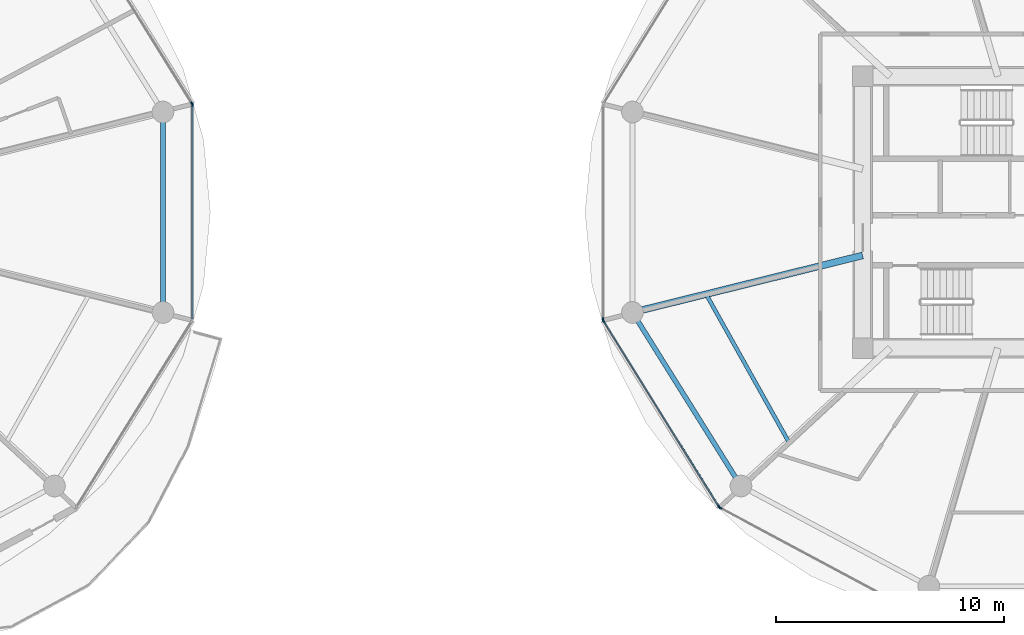
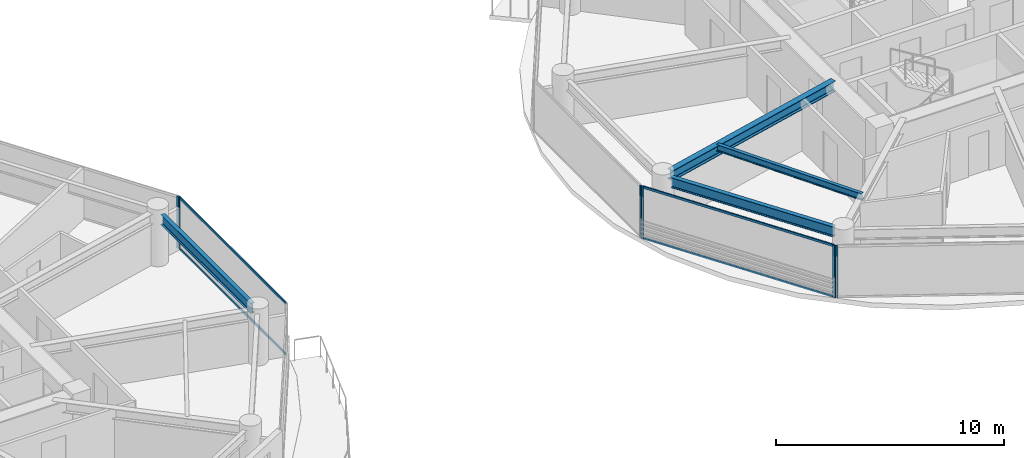
# One storey, part 6 of 26: 10 members, 4 beams, 5 elements without a shape of their own.
"""IFC4 building model written with IfcOpenShell, lengths in metres."""

import ifcopenshell
import ifcopenshell.guid

model = None  # the IFC model being written
_history = None  # IfcOwnerHistory: only IFC2X3 demands one
_inside = {}  # id of a spatial element -> (the spatial element, [elements in it])
_under = {}  # id of a project, library or spatial element -> (it, [spatial elements below it])
_declared = {}  # id of a project -> (the project, [libraries it declares])
_typed = {}  # id of a type object -> (the type object, [elements of that type])
_made_of = {}  # id of a material, layer set ... -> (it, [elements and type objects made of it])


def new_model(schema):
    """Start an empty IFC model of exactly this schema.

    Asked for "IFC4X3", IfcOpenShell would pick the latest addendum, in which some entities
    have other attributes; the version numbers below select the first issue.
    IFC2X3 requires an IfcOwnerHistory on every rooted entity: one is made here for all.
    """
    global model, _history
    if schema == "IFC4X3":
        model = ifcopenshell.file(schema_version=(4, 3, 0, 0))
    else:
        model = ifcopenshell.file(schema=schema)
    _inside.clear()
    _under.clear()
    _declared.clear()
    _typed.clear()
    _made_of.clear()
    _history = None
    if model.schema == "IFC2X3":
        org = make("IfcOrganization", Name="unknown")
        user = make(
            "IfcPersonAndOrganization",
            ThePerson=make("IfcPerson", FamilyName="unknown"),
            TheOrganization=org,
        )
        app = make(
            "IfcApplication",
            ApplicationDeveloper=org,
            Version="unknown",
            ApplicationFullName="unknown",
            ApplicationIdentifier="unknown",
        )
        _history = make(
            "IfcOwnerHistory",
            OwningUser=user,
            OwningApplication=app,
            ChangeAction="ADDED",
            CreationDate=0,
        )
    return model


def make(cls, **values):
    """One entity of the class cls with the attributes given. An attribute that is None is left unset."""
    return model.create_entity(
        cls, **{name: value for name, value in values.items() if value is not None}
    )


def rooted(cls, **values):
    """An entity with a GlobalId (a new one), such as an element, a storey or a relation."""
    return make(cls, GlobalId=ifcopenshell.guid.new(), OwnerHistory=_history, **values)


def si_unit(unit_type, name, prefix=None):
    """IfcSIUnit, for example si_unit("LENGTHUNIT", "METRE", prefix="MILLI")."""
    return make("IfcSIUnit", UnitType=unit_type, Prefix=prefix, Name=name)


def assignment(units):
    """IfcUnitAssignment: the units of a project."""
    return None if units is None else make("IfcUnitAssignment", Units=units)


def point(xyz):
    """IfcCartesianPoint."""
    return None if xyz is None else make("IfcCartesianPoint", Coordinates=xyz)


def direction(xyz):
    """IfcDirection."""
    return None if xyz is None else make("IfcDirection", DirectionRatios=xyz)


def frame(location, z_axis=None, x_axis=None):
    """IfcAxis2Placement3D, a coordinate frame: its origin and axes. An axis left out is left unset."""
    return make(
        "IfcAxis2Placement3D",
        Location=point(location),
        Axis=direction(z_axis),
        RefDirection=direction(x_axis),
    )


def frame_2d(location, x_axis=None):
    """IfcAxis2Placement2D, a coordinate frame in the plane: its origin and x axis."""
    return make(
        "IfcAxis2Placement2D", Location=point(location), RefDirection=direction(x_axis)
    )


def origin():
    """The frame at (0, 0, 0) with its axes left unset."""
    return frame((0.0, 0.0, 0.0))


def origin_2d():
    """The frame at (0, 0) in the plane with its x axis left unset."""
    return frame_2d((0.0, 0.0))


def place(relative_to, where):
    """IfcLocalPlacement: puts the frame where relative to a parent placement (None: the world)."""
    return make(
        "IfcLocalPlacement", PlacementRelTo=relative_to, RelativePlacement=where
    )


def context(
    kind, dimensions, precision=None, world=None, true_north=None, identifier=None
):
    """IfcGeometricRepresentationContext, for example the 3D "Model" context."""
    return make(
        "IfcGeometricRepresentationContext",
        ContextIdentifier=identifier,
        ContextType=kind,
        CoordinateSpaceDimension=dimensions,
        Precision=precision,
        WorldCoordinateSystem=world,
        TrueNorth=true_north,
    )


def subcontext(parent, identifier, kind, view, scale=None):
    """IfcGeometricRepresentationSubContext, for example "Body" below "Model"."""
    return make(
        "IfcGeometricRepresentationSubContext",
        ContextIdentifier=identifier,
        ContextType=kind,
        ParentContext=parent,
        TargetScale=scale,
        TargetView=view,
    )


def project(units=None, contexts=None):
    """IfcProject with its units and contexts."""
    return rooted(
        "IfcProject",
        Name="project",
        RepresentationContexts=contexts,
        UnitsInContext=assignment(units),
    )


def spatial(cls, under=None, at=None, **own):
    """A site, building, storey or space (cls), placed at a placement, below another one or the project."""
    s = rooted(cls, ObjectPlacement=at, **own)
    if under is not None:
        _under.setdefault(under.id(), (under, []))[1].append(s)
    return s


def profile(cls, at=None, kind="AREA", **sizes):
    """A parametric profile (cls). Its sizes go by their IFC names, for example OverallWidth=200.0."""
    return make(cls, ProfileType=kind, Position=at, **sizes)


def rectangle(**sizes):
    """IfcRectangleProfileDef."""
    return profile("IfcRectangleProfileDef", **sizes)


def i_section(**sizes):
    """IfcIShapeProfileDef."""
    return profile("IfcIShapeProfileDef", **sizes)


def extrude(swept, where, along, depth):
    """IfcExtrudedAreaSolid: the profile swept, set in the frame where, extruded along a direction by depth."""
    return make(
        "IfcExtrudedAreaSolid",
        SweptArea=swept,
        Position=where,
        ExtrudedDirection=direction(along),
        Depth=depth,
    )


def shape(context_of_items, identifier, shape_type, items):
    """IfcShapeRepresentation: the items that make up one representation, for example the "Body"."""
    return make(
        "IfcShapeRepresentation",
        ContextOfItems=context_of_items,
        RepresentationIdentifier=identifier,
        RepresentationType=shape_type,
        Items=items,
    )


def source(mapping_origin, context_of_items, identifier, shape_type, items):
    """IfcRepresentationMap: a shape defined once, which mapped items show again and again."""
    return make(
        "IfcRepresentationMap",
        MappingOrigin=mapping_origin,
        MappedRepresentation=shape(context_of_items, identifier, shape_type, items),
    )


def transform(
    local_origin,
    x_axis=None,
    y_axis=None,
    z_axis=None,
    scale=None,
    scale2=None,
    scale3=None,
    uniform=True,
):
    """IfcCartesianTransformationOperator3D, or its non-uniform kind. x_axis, y_axis, z_axis: its Axis1, 2, 3."""
    if uniform:
        return make(
            "IfcCartesianTransformationOperator3D",
            Axis1=direction(x_axis),
            Axis2=direction(y_axis),
            LocalOrigin=point(local_origin),
            Scale=scale,
            Axis3=direction(z_axis),
        )
    return make(
        "IfcCartesianTransformationOperator3DnonUniform",
        Axis1=direction(x_axis),
        Axis2=direction(y_axis),
        LocalOrigin=point(local_origin),
        Scale=scale,
        Axis3=direction(z_axis),
        Scale2=scale2,
        Scale3=scale3,
    )


def mapped(mapping_source, mapping_target):
    """IfcMappedItem: shows the shape of a source again, moved by a transform."""
    return make(
        "IfcMappedItem", MappingSource=mapping_source, MappingTarget=mapping_target
    )


def material(Name=None, Category=None):
    """IfcMaterial."""
    return make("IfcMaterial", Name=Name, Category=Category)


def layer(
    of_material, thickness, ventilated=None, Name=None, Category=None, Priority=None
):
    """IfcMaterialLayer: one layer of a wall or slab, of a material (None: an air gap)."""
    return make(
        "IfcMaterialLayer",
        Material=of_material,
        LayerThickness=thickness,
        IsVentilated=ventilated,
        Name=Name,
        Category=Category,
        Priority=Priority,
    )


def layer_set(layers, Name=None):
    """IfcMaterialLayerSet."""
    return make("IfcMaterialLayerSet", MaterialLayers=layers, LayerSetName=Name)


def material_profile(
    of_material, cross_section, Name=None, Category=None, Priority=None
):
    """IfcMaterialProfile: a cross section and its material."""
    return make(
        "IfcMaterialProfile",
        Name=Name,
        Material=of_material,
        Profile=cross_section,
        Priority=Priority,
        Category=Category,
    )


def profile_set(profiles, Name=None, composite=None):
    """IfcMaterialProfileSet."""
    return make(
        "IfcMaterialProfileSet",
        Name=Name,
        MaterialProfiles=profiles,
        CompositeProfile=composite,
    )


def made_of(thing, what):
    """Note that an element or type object is made of a material, layer set ...; save() writes the relation."""
    if what is not None:
        _made_of.setdefault(what.id(), (what, []))[1].append(thing)
    return thing


def type_object(cls, material=None, **own):
    """A type object (cls), such as IfcWallType, which elements share."""
    return made_of(rooted(cls, **own), material)


def type_shapes(of_type, sources):
    """Give a type object the sources (RepresentationMaps) that its elements show as mapped items."""
    of_type.RepresentationMaps = sources


def element(
    cls,
    number,
    at=None,
    inside=None,
    cuts=None,
    type_object=None,
    material=None,
    context=None,
    identifier="Body",
    shape_type=None,
    held_by="IfcProductDefinitionShape",
    body=None,
    shapes=None,
    **own,
):
    """One element of the class cls, such as IfcWall. Its Tag is "e" and its number.

    at: its placement. inside: the storey or other place that contains it. cuts: it is an
    opening in that element (IfcRelVoidsElement). A single representation is given by context,
    identifier, shape_type and body (its items); several are given by shapes. held_by: the class
    of the entity that holds the representations. save() writes the other relations.
    """
    e = rooted(cls, Tag="e%d" % number, ObjectPlacement=at, **own)
    if body is not None:
        shapes = [shape(context, identifier, shape_type, body)]
    if shapes is not None:
        e.Representation = make(held_by, Representations=shapes)
    if inside is not None:
        _inside.setdefault(inside.id(), (inside, []))[1].append(e)
    if cuts is not None:
        rooted(
            "IfcRelVoidsElement", RelatingBuildingElement=cuts, RelatedOpeningElement=e
        )
    if type_object is not None:
        _typed.setdefault(type_object.id(), (type_object, []))[1].append(e)
    return made_of(e, material)


def aggregate(whole, parts):
    """IfcRelAggregates: a whole, such as a stair, and the parts it consists of."""
    return rooted("IfcRelAggregates", RelatingObject=whole, RelatedObjects=parts)


def save(model, path):
    """Write the relations noted so far, then the file.

    IfcRelAggregates (storeys below a building ...), IfcRelContainedInSpatialStructure (elements
    in a storey), IfcRelDefinesByType, IfcRelAssociatesMaterial and IfcRelDeclares: one each for
    every whole, place, type object, material and project.
    """
    for whole, parts in _under.values():
        aggregate(whole, parts)
    for where, things in _inside.values():
        rooted(
            "IfcRelContainedInSpatialStructure",
            RelatedElements=things,
            RelatingStructure=where,
        )
    for kind, things in _typed.values():
        rooted("IfcRelDefinesByType", RelatedObjects=things, RelatingType=kind)
    for what, things in _made_of.values():
        rooted("IfcRelAssociatesMaterial", RelatedObjects=things, RelatingMaterial=what)
    for by, libraries in _declared.values():
        rooted("IfcRelDeclares", RelatingContext=by, RelatedDefinitions=libraries)
    model.write(path)


model = new_model("IFC4")

# Units and contexts
model_context = context("Model", 3, precision=1e-05, world=origin(), true_north=direction((0.0, 1.0)))
body_context = subcontext(model_context, "Body", "Model", "MODEL_VIEW")
ifc_project = project(units=[si_unit("LENGTHUNIT", "METRE"), si_unit("AREAUNIT", "SQUARE_METRE"), si_unit("VOLUMEUNIT", "CUBIC_METRE"), si_unit("PLANEANGLEUNIT", "RADIAN"), si_unit("MASSUNIT", "GRAM", prefix="KILO")], contexts=[model_context])

# Site, building, storey
site_placement = place(None, origin())
site = spatial("IfcSite", under=ifc_project, at=site_placement, CompositionType="ELEMENT")
building_placement = place(site_placement, origin())
building = spatial("IfcBuilding", under=site, at=building_placement, Name="Norrkilde Senior Care Towers", CompositionType="ELEMENT")
storey_placement = place(building_placement, frame((0.0, 0.0, 55.14990234375)))
storey = spatial("IfcBuildingStorey", under=building, at=storey_placement, Name="L16", CompositionType="ELEMENT", Elevation=55.14990234375)

# Beams
ifc_material_1 = material(Name="Steel S355", Category="steel")
ifc_material_profile_1 = material_profile(ifc_material_1, i_section(OverallWidth=0.2099609375, OverallDepth=0.550048828125, WebThickness=0.010986328125, FlangeThickness=0.01708984375, FilletRadius=0.02392578125, at=origin_2d()), Name="IPE 550")
ifc_profile_set_1 = profile_set([ifc_material_profile_1], Name="Steel S355")
beam_type_1 = type_object("IfcBeamType", Name="Perimeter Ring Spandrel Z1 IPE550", PredefinedType="SPANDREL", material=ifc_profile_set_1)
shared_shape_1 = source(origin(), body_context, "Body", "SweptSolid", [
    extrude(i_section(OverallWidth=0.2099609375, OverallDepth=0.550048828125, WebThickness=0.010986328125, FlangeThickness=0.01708984375, FilletRadius=0.02392578125, at=origin_2d()), origin(), (0.0, 0.0, 1.0), 8.090576171875),
])
beam_1_placement = place(storey_placement, frame((10.505859375, -4.755859375, 2.51513671875), z_axis=(0.530004364821, -0.84799491347, 0.0), x_axis=(0.84799491347, 0.530004364821, 0.0)))
element("IfcBeam", 1, at=beam_1_placement, inside=storey, type_object=beam_type_1, Name="L16 Drum E Perimeter Spandrel 07", PredefinedType="SPANDREL", context=body_context, shape_type="MappedRepresentation", body=[
    mapped(shared_shape_1, transform((0.0, 0.0, 0.0), x_axis=(1.0, 0.0, 0.0), y_axis=(0.0, 1.0, 0.0), z_axis=(0.0, 0.0, 1.0), scale=1.0)),
])
ifc_material_profile_2 = material_profile(ifc_material_1, i_section(OverallWidth=0.300048828125, OverallDepth=0.550048828125, WebThickness=0.014892578125, FlangeThickness=0.029052734375, FilletRadius=0.027099609375, at=origin_2d()), Name="HEB 550")
ifc_profile_set_2 = profile_set([ifc_material_profile_2], Name="Steel S355")
beam_type_2 = type_object("IfcBeamType", Name="Radial Floor Beam Z1 HEB550", PredefinedType="BEAM", material=ifc_profile_set_2)
shared_shape_2 = source(origin(), body_context, "Body", "SweptSolid", [
    extrude(i_section(OverallWidth=0.300048828125, OverallDepth=0.550048828125, WebThickness=0.014892578125, FlangeThickness=0.029052734375, FilletRadius=0.027099609375, at=origin_2d()), origin(), (0.0, 0.0, 1.0), 9.94384765625),
])
type_shapes(beam_type_2, [shared_shape_2])
beam_2_placement = place(storey_placement, frame((20.35009765625, -1.893310546875, 2.51513671875), z_axis=(-0.970707425182, -0.240264634718, 0.0), x_axis=(0.240264634718, -0.970707425182, 0.0)))
element("IfcBeam", 2, at=beam_2_placement, inside=storey, type_object=beam_type_2, Name="L16 Drum E Radial Floor Beam 07", PredefinedType="BEAM", context=body_context, shape_type="MappedRepresentation", body=[
    mapped(shared_shape_2, transform((0.0, 0.0, 0.0), x_axis=(1.0, 0.0, 0.0), y_axis=(0.0, 1.0, 0.0), z_axis=(0.0, 0.0, 1.0), scale=1.0)),
])
shared_shape_3 = source(origin(), body_context, "Body", "SweptSolid", [
    extrude(i_section(OverallWidth=0.2099609375, OverallDepth=0.550048828125, WebThickness=0.010986328125, FlangeThickness=0.01708984375, FilletRadius=0.02392578125, at=origin_2d()), origin(), (0.0, 0.0, 1.0), 7.90380859375),
])
type_shapes(beam_type_1, [shared_shape_1, shared_shape_3])
beam_3_placement = place(storey_placement, frame((-10.275146484375, -3.951904296875, 2.51513671875), z_axis=(0.0, 1.0, 0.0), x_axis=(-1.0, 0.0, 0.0)))
element("IfcBeam", 3, at=beam_3_placement, inside=storey, type_object=beam_type_1, Name="L16 Drum W Perimeter Spandrel 12", PredefinedType="SPANDREL", context=body_context, shape_type="MappedRepresentation", body=[
    mapped(shared_shape_3, transform((0.0, 0.0, 0.0), x_axis=(1.0, 0.0, 0.0), y_axis=(0.0, 1.0, 0.0), z_axis=(0.0, 0.0, 1.0), scale=1.0)),
])
ifc_material_profile_3 = material_profile(ifc_material_1, i_section(OverallWidth=0.169921875, OverallDepth=0.360107421875, WebThickness=0.008056640625, FlangeThickness=0.0126953125, FilletRadius=0.01806640625, at=origin_2d()), Name="IPE 360")
ifc_profile_set_3 = profile_set([ifc_material_profile_3], Name="Steel S355")
beam_type_3 = type_object("IfcBeamType", Name="Secondary Floor Joist IPE360", PredefinedType="JOIST", material=ifc_profile_set_3)
shared_shape_4 = source(origin(), body_context, "Body", "SweptSolid", [
    extrude(i_section(OverallWidth=0.169921875, OverallDepth=0.360107421875, WebThickness=0.008056640625, FlangeThickness=0.0126953125, FilletRadius=0.01806640625, at=origin_2d()), origin(), (0.0, 0.0, 1.0), 7.40771484375),
])
type_shapes(beam_type_3, [shared_shape_4])
beam_4_placement = place(storey_placement, frame((13.499267578125, -3.589111328125, 2.610107421875), z_axis=(0.488167754092, -0.872749817453, 0.0), x_axis=(0.872749817453, 0.488167754092, 0.0)))
element("IfcBeam", 4, at=beam_4_placement, inside=storey, type_object=beam_type_3, Name="L16 Drum E Secondary Floor Joist 3", PredefinedType="JOIST", context=body_context, shape_type="MappedRepresentation", body=[
    mapped(shared_shape_4, transform((0.0, 0.0, 0.0), x_axis=(1.0, 0.0, 0.0), y_axis=(0.0, 1.0, 0.0), z_axis=(0.0, 0.0, 1.0), scale=1.0)),
])

# Curtain wall, member
ifc_material_2 = material(Name="Triple Low-E Insulated Glazing", Category="glass")
ifc_layer = layer(ifc_material_2, 0.199951171875)
ifc_layer_set = layer_set([ifc_layer], Name="Triple Low-E Insulated Glazing")
curtain_wall_type = type_object("IfcCurtainWallType", Name="CW2 Zone 1 Memory Care Curtain Wall", PredefinedType="NOTDEFINED", material=ifc_layer_set)
curtain_wall_1_placement = place(storey_placement, origin())
curtain_wall_1 = element("IfcCurtainWall", 5, at=curtain_wall_1_placement, inside=storey, type_object=curtain_wall_type, Name="L16 Drum W Curtain Wall 00", PredefinedType="NOTDEFINED")
ifc_material_3 = material(Name="Anodised Aluminium", Category="aluminium")
ifc_material_profile_4 = material_profile(ifc_material_3, rectangle(XDim=0.06494140625, YDim=0.159912109375, at=origin_2d()), Name="ALU MULL 65x160")
ifc_profile_set_4 = profile_set([ifc_material_profile_4], Name="Anodised Aluminium")
member_type_1 = type_object("IfcMemberType", Name="Curtain Wall Mullion Z1-Z2 65x160", PredefinedType="MULLION", material=ifc_profile_set_4)
shared_shape_5 = source(origin(), body_context, "Body", "SweptSolid", [
    extrude(rectangle(XDim=0.06494140625, YDim=0.159912109375, at=origin_2d()), origin(), (0.0, 0.0, 1.0), 2.7900390625),
])
type_shapes(member_type_1, [shared_shape_5])
member_1_placement = place(storey_placement, frame((-9.0078125, 4.7587890625, 0.0), z_axis=(0.0, 0.0, 1.0), x_axis=(0.849305943117, 0.527900951871, 0.0)))
member_1 = element("IfcMember", 6, at=member_1_placement, type_object=member_type_1, Name="CW-2 mullion 2", PredefinedType="MULLION", context=body_context, shape_type="MappedRepresentation", body=[
    mapped(shared_shape_5, transform((0.0, 0.0, 0.0), x_axis=(1.0, 0.0, 0.0), y_axis=(0.0, 1.0, 0.0), z_axis=(0.0, 0.0, 1.0), scale=1.0)),
])
aggregate(curtain_wall_1, [member_1])

curtain_wall_2_placement = place(storey_placement, origin())
curtain_wall_2 = element("IfcCurtainWall", 7, at=curtain_wall_2_placement, inside=storey, type_object=curtain_wall_type, Name="L16 Drum W Curtain Wall 11", PredefinedType="NOTDEFINED")
member_2_placement = place(storey_placement, frame((-8.990478515625, 4.69873046875, 0.0), z_axis=(0.0, 0.0, 1.0), x_axis=(1.0, 0.0, 0.0)))
member_2 = element("IfcMember", 8, at=member_2_placement, type_object=member_type_1, Name="CW-2 mullion 1", PredefinedType="MULLION", context=body_context, shape_type="MappedRepresentation", body=[
    mapped(shared_shape_5, transform((0.0, 0.0, 0.0), x_axis=(1.0, 0.0, 0.0), y_axis=(0.0, 1.0, 0.0), z_axis=(0.0, 0.0, 1.0), scale=1.0)),
])

curtain_wall_3_placement = place(storey_placement, origin())
curtain_wall_3 = element("IfcCurtainWall", 9, at=curtain_wall_3_placement, inside=storey, type_object=curtain_wall_type, Name="L16 Drum E Curtain Wall 05", PredefinedType="NOTDEFINED")
member_3_placement = place(storey_placement, frame((8.990478515625, -4.69873046875, 0.0), z_axis=(0.0, 0.0, 1.0), x_axis=(-1.0, 0.0, 0.0)))
member_3 = element("IfcMember", 10, at=member_3_placement, type_object=member_type_1, Name="CW-2 mullion 1", PredefinedType="MULLION", context=body_context, shape_type="MappedRepresentation", body=[
    mapped(shared_shape_5, transform((0.0, 0.0, 0.0), x_axis=(1.0, 0.0, 0.0), y_axis=(0.0, 1.0, 0.0), z_axis=(0.0, 0.0, 1.0), scale=1.0)),
])
aggregate(curtain_wall_3, [member_3])

# Curtain wall, members
curtain_wall_4_placement = place(storey_placement, origin())
curtain_wall_4 = element("IfcCurtainWall", 11, at=curtain_wall_4_placement, inside=storey, type_object=curtain_wall_type, Name="L16 Drum E Curtain Wall 06", PredefinedType="NOTDEFINED")
member_4_placement = place(storey_placement, frame((14.06689453125, -12.898193359375, 0.0), z_axis=(0.0, 0.0, 1.0), x_axis=(-0.849305943117, -0.527900951871, 0.0)))
member_4 = element("IfcMember", 12, at=member_4_placement, type_object=member_type_1, Name="CW-2 mullion 1", PredefinedType="MULLION", context=body_context, shape_type="MappedRepresentation", body=[
    mapped(shared_shape_5, transform((0.0, 0.0, 0.0), x_axis=(1.0, 0.0, 0.0), y_axis=(0.0, 1.0, 0.0), z_axis=(0.0, 0.0, 1.0), scale=1.0)),
])
member_5_placement = place(storey_placement, frame((9.0078125, -4.7587890625, 0.0), z_axis=(0.0, 0.0, 1.0), x_axis=(-0.849305943117, -0.527900951871, 0.0)))
member_5 = element("IfcMember", 13, at=member_5_placement, type_object=member_type_1, Name="CW-2 mullion 2", PredefinedType="MULLION", context=body_context, shape_type="MappedRepresentation", body=[
    mapped(shared_shape_5, transform((0.0, 0.0, 0.0), x_axis=(1.0, 0.0, 0.0), y_axis=(0.0, 1.0, 0.0), z_axis=(0.0, 0.0, 1.0), scale=1.0)),
])

# Curtain wall, member
curtain_wall_5_placement = place(storey_placement, origin())
curtain_wall_5 = element("IfcCurtainWall", 14, at=curtain_wall_5_placement, inside=storey, type_object=curtain_wall_type, Name="L16 Drum E Curtain Wall 07", PredefinedType="NOTDEFINED")
member_6_placement = place(storey_placement, frame((14.11279296875, -12.941162109375, 0.0), z_axis=(0.0, 0.0, 1.0), x_axis=(-0.472607802456, -0.881272866403, 0.0)))
member_6 = element("IfcMember", 15, at=member_6_placement, type_object=member_type_1, Name="CW-2 mullion 2", PredefinedType="MULLION", context=body_context, shape_type="MappedRepresentation", body=[
    mapped(shared_shape_5, transform((0.0, 0.0, 0.0), x_axis=(1.0, 0.0, 0.0), y_axis=(0.0, 1.0, 0.0), z_axis=(0.0, 0.0, 1.0), scale=1.0)),
])
aggregate(curtain_wall_5, [member_6])

# Member
ifc_material_profile_5 = material_profile(ifc_material_3, rectangle(XDim=0.06005859375, YDim=0.1201171875, at=origin_2d()), Name="ALU TRAN 60x120")
ifc_profile_set_5 = profile_set([ifc_material_profile_5], Name="Anodised Aluminium")
member_type_2 = type_object("IfcMemberType", Name="Curtain Wall Transom Typical 60x120", PredefinedType="USERDEFINED", material=ifc_profile_set_5)
shared_shape_6 = source(origin(), body_context, "Body", "SweptSolid", [
    extrude(rectangle(XDim=0.06005859375, YDim=0.1201171875, at=origin_2d()), origin(), (0.0, 0.0, 1.0), 9.5185546875),
])
member_7_placement = place(storey_placement, frame((14.0498046875, -12.87060546875, 0.030029296875), z_axis=(-0.527901620669, 0.849305527413, 0.0), x_axis=(-0.849305527413, -0.527901620669, 0.0)))
member_7 = element("IfcMember", 16, at=member_7_placement, type_object=member_type_2, Name="CW-2 transom 1.1", ObjectType="TRANSOM", PredefinedType="USERDEFINED", context=body_context, shape_type="MappedRepresentation", body=[
    mapped(shared_shape_6, transform((0.0, 0.0, 0.0), x_axis=(1.0, 0.0, 0.0), y_axis=(0.0, 1.0, 0.0), z_axis=(0.0, 0.0, 1.0), scale=1.0)),
])

member_8_placement = place(storey_placement, frame((14.0498046875, -12.87060546875, 2.760009765625), z_axis=(-0.527901620669, 0.849305527413, 0.0), x_axis=(-0.849305527413, -0.527901620669, 0.0)))
member_8 = element("IfcMember", 17, at=member_8_placement, type_object=member_type_2, Name="CW-2 transom 1.2", ObjectType="TRANSOM", PredefinedType="USERDEFINED", context=body_context, shape_type="MappedRepresentation", body=[
    mapped(shared_shape_6, transform((0.0, 0.0, 0.0), x_axis=(1.0, 0.0, 0.0), y_axis=(0.0, 1.0, 0.0), z_axis=(0.0, 0.0, 1.0), scale=1.0)),
])

aggregate(curtain_wall_4, [member_4, member_5, member_7, member_8])

shared_shape_7 = source(origin(), body_context, "Body", "SweptSolid", [
    extrude(rectangle(XDim=0.06005859375, YDim=0.1201171875, at=origin_2d()), origin(), (0.0, 0.0, 1.0), 9.33251953125),
])
type_shapes(member_type_2, [shared_shape_6, shared_shape_7])
member_9_placement = place(storey_placement, frame((-8.990478515625, 4.666259765625, 0.030029296875), z_axis=(0.0, -1.0, 0.0), x_axis=(1.0, 0.0, 0.0)))
member_9 = element("IfcMember", 18, at=member_9_placement, type_object=member_type_2, Name="CW-2 transom 1.1", ObjectType="TRANSOM", PredefinedType="USERDEFINED", context=body_context, shape_type="MappedRepresentation", body=[
    mapped(shared_shape_7, transform((0.0, 0.0, 0.0), x_axis=(1.0, 0.0, 0.0), y_axis=(0.0, 1.0, 0.0), z_axis=(0.0, 0.0, 1.0), scale=1.0)),
])

member_10_placement = place(storey_placement, frame((-8.990478515625, 4.666259765625, 2.760009765625), z_axis=(0.0, -1.0, 0.0), x_axis=(1.0, 0.0, 0.0)))
member_10 = element("IfcMember", 19, at=member_10_placement, type_object=member_type_2, Name="CW-2 transom 1.2", ObjectType="TRANSOM", PredefinedType="USERDEFINED", context=body_context, shape_type="MappedRepresentation", body=[
    mapped(shared_shape_7, transform((0.0, 0.0, 0.0), x_axis=(1.0, 0.0, 0.0), y_axis=(0.0, 1.0, 0.0), z_axis=(0.0, 0.0, 1.0), scale=1.0)),
])

aggregate(curtain_wall_2, [member_2, member_9, member_10])

save(model, "model.ifc")
